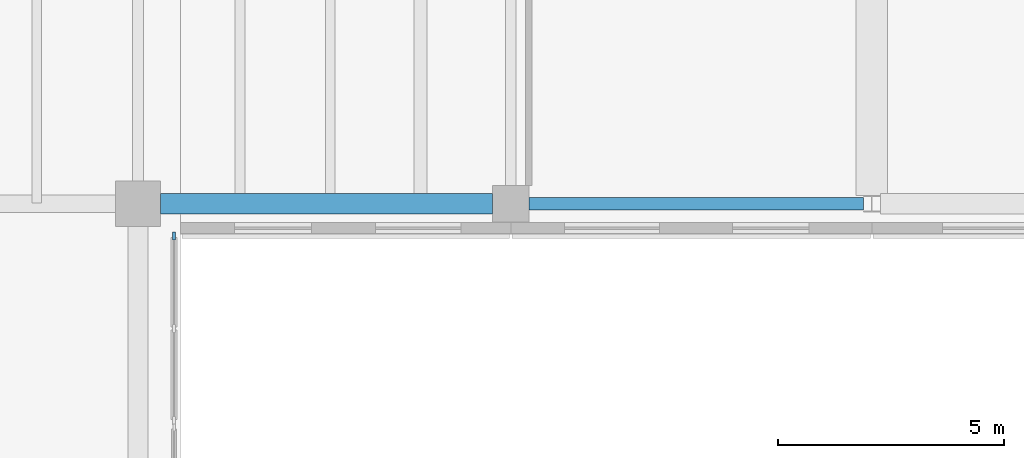
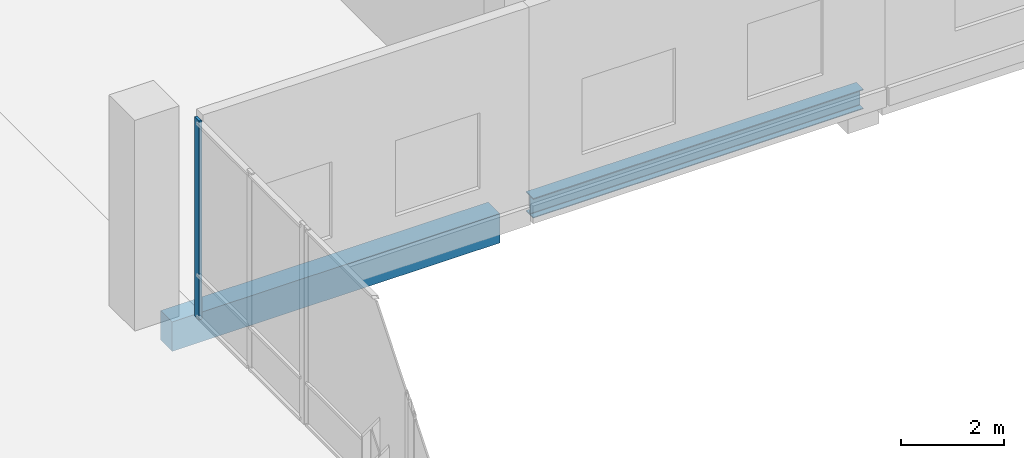
# One storey, part 25 of 73: 2 beams, 1 member, 1 element without a shape of its own.
"""IFC4 building model written with IfcOpenShell, lengths in metres."""

import ifcopenshell
import ifcopenshell.guid

model = None  # the IFC model being written
_history = None  # IfcOwnerHistory: only IFC2X3 demands one
_inside = {}  # id of a spatial element -> (the spatial element, [elements in it])
_under = {}  # id of a project, library or spatial element -> (it, [spatial elements below it])
_declared = {}  # id of a project -> (the project, [libraries it declares])
_typed = {}  # id of a type object -> (the type object, [elements of that type])
_made_of = {}  # id of a material, layer set ... -> (it, [elements and type objects made of it])


def new_model(schema):
    """Start an empty IFC model of exactly this schema.

    Asked for "IFC4X3", IfcOpenShell would pick the latest addendum, in which some entities
    have other attributes; the version numbers below select the first issue.
    IFC2X3 requires an IfcOwnerHistory on every rooted entity: one is made here for all.
    """
    global model, _history
    if schema == "IFC4X3":
        model = ifcopenshell.file(schema_version=(4, 3, 0, 0))
    else:
        model = ifcopenshell.file(schema=schema)
    _inside.clear()
    _under.clear()
    _declared.clear()
    _typed.clear()
    _made_of.clear()
    _history = None
    if model.schema == "IFC2X3":
        org = make("IfcOrganization", Name="unknown")
        user = make(
            "IfcPersonAndOrganization",
            ThePerson=make("IfcPerson", FamilyName="unknown"),
            TheOrganization=org,
        )
        app = make(
            "IfcApplication",
            ApplicationDeveloper=org,
            Version="unknown",
            ApplicationFullName="unknown",
            ApplicationIdentifier="unknown",
        )
        _history = make(
            "IfcOwnerHistory",
            OwningUser=user,
            OwningApplication=app,
            ChangeAction="ADDED",
            CreationDate=0,
        )
    return model


def make(cls, **values):
    """One entity of the class cls with the attributes given. An attribute that is None is left unset."""
    return model.create_entity(
        cls, **{name: value for name, value in values.items() if value is not None}
    )


def rooted(cls, **values):
    """An entity with a GlobalId (a new one), such as an element, a storey or a relation."""
    return make(cls, GlobalId=ifcopenshell.guid.new(), OwnerHistory=_history, **values)


def si_unit(unit_type, name, prefix=None):
    """IfcSIUnit, for example si_unit("LENGTHUNIT", "METRE", prefix="MILLI")."""
    return make("IfcSIUnit", UnitType=unit_type, Prefix=prefix, Name=name)


def assignment(units):
    """IfcUnitAssignment: the units of a project."""
    return None if units is None else make("IfcUnitAssignment", Units=units)


def point(xyz):
    """IfcCartesianPoint."""
    return None if xyz is None else make("IfcCartesianPoint", Coordinates=xyz)


def direction(xyz):
    """IfcDirection."""
    return None if xyz is None else make("IfcDirection", DirectionRatios=xyz)


def frame(location, z_axis=None, x_axis=None):
    """IfcAxis2Placement3D, a coordinate frame: its origin and axes. An axis left out is left unset."""
    return make(
        "IfcAxis2Placement3D",
        Location=point(location),
        Axis=direction(z_axis),
        RefDirection=direction(x_axis),
    )


def frame_2d(location, x_axis=None):
    """IfcAxis2Placement2D, a coordinate frame in the plane: its origin and x axis."""
    return make(
        "IfcAxis2Placement2D", Location=point(location), RefDirection=direction(x_axis)
    )


def origin():
    """The frame at (0, 0, 0) with its axes left unset."""
    return frame((0.0, 0.0, 0.0))


def origin_2d():
    """The frame at (0, 0) in the plane with its x axis left unset."""
    return frame_2d((0.0, 0.0))


def place(relative_to, where):
    """IfcLocalPlacement: puts the frame where relative to a parent placement (None: the world)."""
    return make(
        "IfcLocalPlacement", PlacementRelTo=relative_to, RelativePlacement=where
    )


def context(
    kind, dimensions, precision=None, world=None, true_north=None, identifier=None
):
    """IfcGeometricRepresentationContext, for example the 3D "Model" context."""
    return make(
        "IfcGeometricRepresentationContext",
        ContextIdentifier=identifier,
        ContextType=kind,
        CoordinateSpaceDimension=dimensions,
        Precision=precision,
        WorldCoordinateSystem=world,
        TrueNorth=true_north,
    )


def subcontext(parent, identifier, kind, view, scale=None):
    """IfcGeometricRepresentationSubContext, for example "Body" below "Model"."""
    return make(
        "IfcGeometricRepresentationSubContext",
        ContextIdentifier=identifier,
        ContextType=kind,
        ParentContext=parent,
        TargetScale=scale,
        TargetView=view,
    )


def project(units=None, contexts=None):
    """IfcProject with its units and contexts."""
    return rooted(
        "IfcProject",
        Name="project",
        RepresentationContexts=contexts,
        UnitsInContext=assignment(units),
    )


def spatial(cls, under=None, at=None, **own):
    """A site, building, storey or space (cls), placed at a placement, below another one or the project."""
    s = rooted(cls, ObjectPlacement=at, **own)
    if under is not None:
        _under.setdefault(under.id(), (under, []))[1].append(s)
    return s


def profile(cls, at=None, kind="AREA", **sizes):
    """A parametric profile (cls). Its sizes go by their IFC names, for example OverallWidth=200.0."""
    return make(cls, ProfileType=kind, Position=at, **sizes)


def rectangle(**sizes):
    """IfcRectangleProfileDef."""
    return profile("IfcRectangleProfileDef", **sizes)


def i_section(**sizes):
    """IfcIShapeProfileDef."""
    return profile("IfcIShapeProfileDef", **sizes)


def extrude(swept, where, along, depth):
    """IfcExtrudedAreaSolid: the profile swept, set in the frame where, extruded along a direction by depth."""
    return make(
        "IfcExtrudedAreaSolid",
        SweptArea=swept,
        Position=where,
        ExtrudedDirection=direction(along),
        Depth=depth,
    )


def shape(context_of_items, identifier, shape_type, items):
    """IfcShapeRepresentation: the items that make up one representation, for example the "Body"."""
    return make(
        "IfcShapeRepresentation",
        ContextOfItems=context_of_items,
        RepresentationIdentifier=identifier,
        RepresentationType=shape_type,
        Items=items,
    )


def material(Name=None, Category=None):
    """IfcMaterial."""
    return make("IfcMaterial", Name=Name, Category=Category)


def material_profile(
    of_material, cross_section, Name=None, Category=None, Priority=None
):
    """IfcMaterialProfile: a cross section and its material."""
    return make(
        "IfcMaterialProfile",
        Name=Name,
        Material=of_material,
        Profile=cross_section,
        Priority=Priority,
        Category=Category,
    )


def profile_set(profiles, Name=None, composite=None):
    """IfcMaterialProfileSet."""
    return make(
        "IfcMaterialProfileSet",
        Name=Name,
        MaterialProfiles=profiles,
        CompositeProfile=composite,
    )


def made_of(thing, what):
    """Note that an element or type object is made of a material, layer set ...; save() writes the relation."""
    if what is not None:
        _made_of.setdefault(what.id(), (what, []))[1].append(thing)
    return thing


def type_object(cls, material=None, **own):
    """A type object (cls), such as IfcWallType, which elements share."""
    return made_of(rooted(cls, **own), material)


def element(
    cls,
    number,
    at=None,
    inside=None,
    cuts=None,
    type_object=None,
    material=None,
    context=None,
    identifier="Body",
    shape_type=None,
    held_by="IfcProductDefinitionShape",
    body=None,
    shapes=None,
    **own,
):
    """One element of the class cls, such as IfcWall. Its Tag is "e" and its number.

    at: its placement. inside: the storey or other place that contains it. cuts: it is an
    opening in that element (IfcRelVoidsElement). A single representation is given by context,
    identifier, shape_type and body (its items); several are given by shapes. held_by: the class
    of the entity that holds the representations. save() writes the other relations.
    """
    e = rooted(cls, Tag="e%d" % number, ObjectPlacement=at, **own)
    if body is not None:
        shapes = [shape(context, identifier, shape_type, body)]
    if shapes is not None:
        e.Representation = make(held_by, Representations=shapes)
    if inside is not None:
        _inside.setdefault(inside.id(), (inside, []))[1].append(e)
    if cuts is not None:
        rooted(
            "IfcRelVoidsElement", RelatingBuildingElement=cuts, RelatedOpeningElement=e
        )
    if type_object is not None:
        _typed.setdefault(type_object.id(), (type_object, []))[1].append(e)
    return made_of(e, material)


def aggregate(whole, parts):
    """IfcRelAggregates: a whole, such as a stair, and the parts it consists of."""
    return rooted("IfcRelAggregates", RelatingObject=whole, RelatedObjects=parts)


def save(model, path):
    """Write the relations noted so far, then the file.

    IfcRelAggregates (storeys below a building ...), IfcRelContainedInSpatialStructure (elements
    in a storey), IfcRelDefinesByType, IfcRelAssociatesMaterial and IfcRelDeclares: one each for
    every whole, place, type object, material and project.
    """
    for whole, parts in _under.values():
        aggregate(whole, parts)
    for where, things in _inside.values():
        rooted(
            "IfcRelContainedInSpatialStructure",
            RelatedElements=things,
            RelatingStructure=where,
        )
    for kind, things in _typed.values():
        rooted("IfcRelDefinesByType", RelatedObjects=things, RelatingType=kind)
    for what, things in _made_of.values():
        rooted("IfcRelAssociatesMaterial", RelatedObjects=things, RelatingMaterial=what)
    for by, libraries in _declared.values():
        rooted("IfcRelDeclares", RelatingContext=by, RelatedDefinitions=libraries)
    model.write(path)


model = new_model("IFC4")

# Units and contexts
model_context = context("Model", 3, precision=1e-05, world=origin(), true_north=direction((0.0, 1.0)))
body_context = subcontext(model_context, "Body", "Model", "MODEL_VIEW")
ifc_project = project(units=[si_unit("LENGTHUNIT", "METRE"), si_unit("AREAUNIT", "SQUARE_METRE"), si_unit("VOLUMEUNIT", "CUBIC_METRE"), si_unit("PLANEANGLEUNIT", "RADIAN"), si_unit("MASSUNIT", "GRAM", prefix="KILO")], contexts=[model_context])

# Site, building, storey
site_placement = place(None, origin())
site = spatial("IfcSite", under=ifc_project, at=site_placement, CompositionType="ELEMENT")
building_placement = place(site_placement, origin())
building = spatial("IfcBuilding", under=site, at=building_placement, Name="Trimount Lyric Opera House", CompositionType="ELEMENT")
storey_placement = place(building_placement, frame((0.0, 0.0, 10.0)))
storey = spatial("IfcBuildingStorey", under=building, at=storey_placement, Name="L02", CompositionType="ELEMENT", Elevation=10.0)

# Curtain wall, member
ifc_material_1 = material(Name="Thermally Broken Aluminium and Low-E Glass", Category="aluminium")
curtain_wall_type = type_object("IfcCurtainWallType", Name="CW-01", PredefinedType="NOTDEFINED", material=ifc_material_1)
curtain_wall_placement = place(storey_placement, origin())
curtain_wall = element("IfcCurtainWall", 1, at=curtain_wall_placement, inside=storey, type_object=curtain_wall_type, Name="L02 curtain wall 169", PredefinedType="NOTDEFINED")
ifc_material_2 = material(Name="Anodised Aluminium 6063-T6", Category="aluminium")
ifc_material_profile_1 = material_profile(ifc_material_2, rectangle(XDim=0.06494140625, YDim=0.179931640625, at=origin_2d()), Name="ALU-MULL-65X180")
ifc_profile_set_1 = profile_set([ifc_material_profile_1], Name="Anodised Aluminium 6063-T6")
member_type = type_object("IfcMemberType", Name="ML-02", PredefinedType="MULLION", material=ifc_profile_set_1)
member_placement = place(storey_placement, frame((114.5400390625, 43.28759765625, 0.0), z_axis=(0.0, 0.0, 1.0), x_axis=(1.0, 0.0, 0.0)))
member = element("IfcMember", 2, at=member_placement, type_object=member_type, Name="CW-01 mullion 1", PredefinedType="MULLION", context=body_context, shape_type="SweptSolid", body=[
    extrude(rectangle(XDim=0.06494140625, YDim=0.179931640625, at=origin_2d()), origin(), (0.0, 0.0, 1.0), 4.719970703125),
])
aggregate(curtain_wall, [member])

# Beams
ifc_material_3 = material(Name="Steel ASTM A992 Grade 50", Category="steel")
ifc_material_profile_2 = material_profile(ifc_material_3, i_section(OverallWidth=0.281982421875, OverallDepth=0.467041015625, WebThickness=0.01220703125, FlangeThickness=0.01953125, FilletRadius=0.012939453125, at=origin_2d()), Name="W18X86")
ifc_profile_set_2 = profile_set([ifc_material_profile_2], Name="Steel ASTM A992 Grade 50")
beam_type_1 = type_object("IfcBeamType", Name="SP-01", PredefinedType="SPANDREL", material=ifc_profile_set_2)
beam_1_placement = place(storey_placement, frame((122.39990234375, 44.0, -0.513427734375), z_axis=(1.0, 0.0, 0.0), x_axis=(0.0, 1.0, 0.0)))
element("IfcBeam", 3, at=beam_1_placement, inside=storey, type_object=beam_type_1, Name="L02 girder X-0730", PredefinedType="SPANDREL", context=body_context, shape_type="SweptSolid", body=[
    extrude(i_section(OverallWidth=0.281982421875, OverallDepth=0.467041015625, WebThickness=0.01220703125, FlangeThickness=0.01953125, FilletRadius=0.012939453125, at=origin_2d()), origin(), (0.0, 0.0, 1.0), 7.41357421875),
])
ifc_material_4 = material(Name="Concrete C40/50", Category="concrete")
ifc_material_profile_3 = material_profile(ifc_material_4, rectangle(XDim=0.449951171875, YDim=0.699951171875, at=origin_2d()), Name="RC450X700")
ifc_profile_set_3 = profile_set([ifc_material_profile_3], Name="Concrete C40/50")
beam_type_2 = type_object("IfcBeamType", Name="SP-02", PredefinedType="SPANDREL", material=ifc_profile_set_3)
beam_2_placement = place(storey_placement, frame((114.239990234375, 44.0, -0.64990234375), z_axis=(1.0, 0.0, 0.0), x_axis=(0.0, 1.0, 0.0)))
element("IfcBeam", 4, at=beam_2_placement, inside=storey, type_object=beam_type_2, Name="L02 girder X-0729", PredefinedType="SPANDREL", context=body_context, shape_type="SweptSolid", body=[
    extrude(rectangle(XDim=0.449951171875, YDim=0.699951171875, at=origin_2d()), origin(), (0.0, 0.0, 1.0), 7.360107421875),
])

save(model, "model.ifc")
